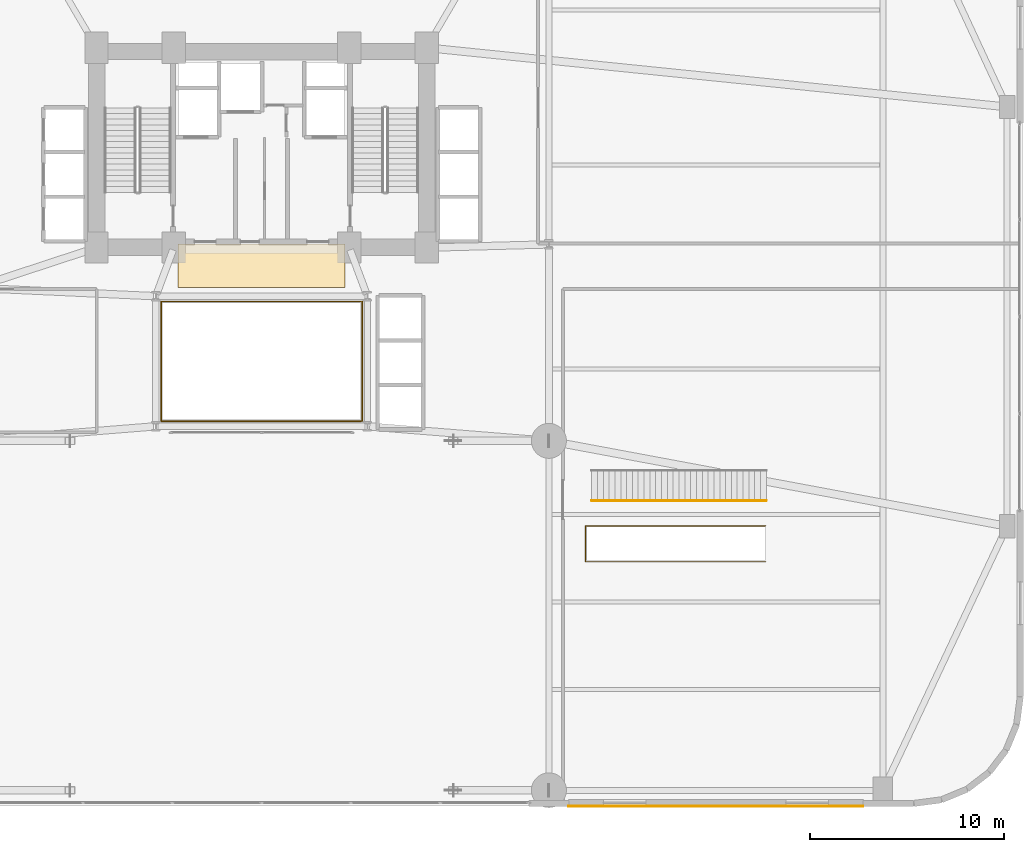
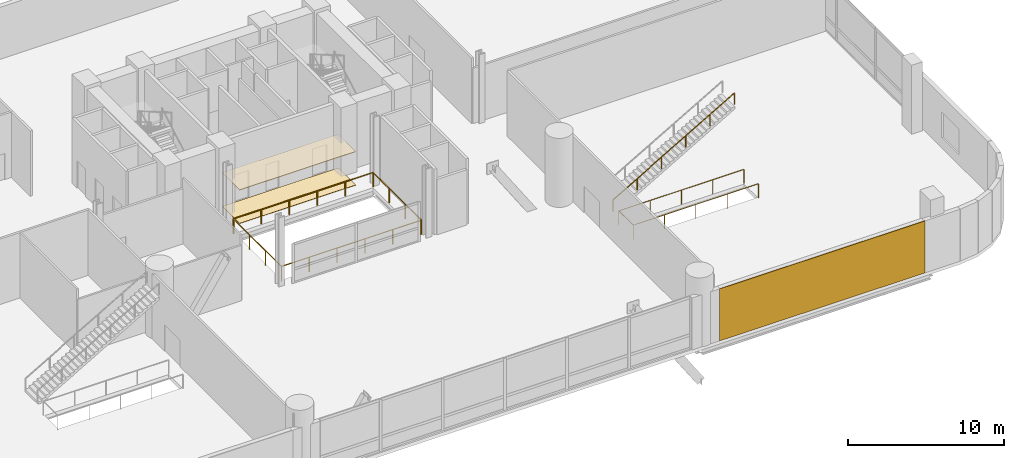
# One storey, part 35 of 40: 4 railings, 3 coverings.
"""IFC4 building model written with IfcOpenShell, lengths in metres."""

from ifc_helpers import new_model, si_unit, direction, frame, origin, origin_2d, place, context, subcontext, project, spatial, rectangle, circle, extrude, source, transform, mapped, material, layer, layer_set, type_object, element, save


model = new_model("IFC4")

# Units and contexts
model_context = context("Model", 3, precision=1e-05, world=origin(), true_north=direction((0.0, 1.0)))
body_context = subcontext(model_context, "Body", "Model", "MODEL_VIEW")
ifc_project = project(units=[si_unit("LENGTHUNIT", "METRE"), si_unit("AREAUNIT", "SQUARE_METRE"), si_unit("VOLUMEUNIT", "CUBIC_METRE"), si_unit("PLANEANGLEUNIT", "RADIAN"), si_unit("MASSUNIT", "GRAM", prefix="KILO")], contexts=[model_context])

# Site, building, storey
site_placement = place(None, origin())
site = spatial("IfcSite", under=ifc_project, at=site_placement, CompositionType="ELEMENT")
building_placement = place(site_placement, origin())
building = spatial("IfcBuilding", under=site, at=building_placement, Name="Varnelok Gate Tower", CompositionType="ELEMENT")
storey_placement = place(building_placement, frame((0.0, 0.0, 5.39990234375)))
storey = spatial("IfcBuildingStorey", under=building, at=storey_placement, Name="L01", CompositionType="ELEMENT", Elevation=5.39990234375)

# Railings
ifc_material_1 = material(Name="Tempered Laminated Balustrade Glass", Category="glass")
railing_type_1 = type_object("IfcRailingType", Name="RL-ATR-GUARD1150", PredefinedType="GUARDRAIL", material=ifc_material_1)
railing_1_placement = place(storey_placement, frame((34.02001953125, 25.929931640625, 0.0)))
element("IfcRailing", 1, at=railing_1_placement, inside=storey, type_object=railing_type_1, Name="L01 Internal Atrium South-West Guardrail", PredefinedType="GUARDRAIL", context=body_context, shape_type="SweptSolid", body=[
    extrude(circle(Radius=0.02392578125, at=origin_2d()), frame((0.0, 0.0, 1.1259765625), z_axis=(0.0, -1.0, 0.0), x_axis=(1.0, 0.0, 0.0)), (0.0, 0.0, 1.0), 6.10986328125),
    extrude(circle(Radius=0.02392578125, at=origin_2d()), frame((0.0, -6.10986328125, 1.1259765625), z_axis=(1.0, 0.0, 0.0), x_axis=(0.0, 1.0, 0.0)), (0.0, 0.0, 1.0), 10.31005859375),
    extrude(circle(Radius=0.02099609375, at=origin_2d()), origin(), (0.0, 0.0, 1.0), 1.101806640625),
    extrude(circle(Radius=0.02099609375, at=origin_2d()), frame((0.0, -2.03662109375, 0.0)), (0.0, 0.0, 1.0), 1.101806640625),
    extrude(circle(Radius=0.02099609375, at=origin_2d()), frame((0.0, -4.0732421875, 0.0)), (0.0, 0.0, 1.0), 1.101806640625),
    extrude(circle(Radius=0.02099609375, at=origin_2d()), frame((0.0, -6.10986328125, 0.0)), (0.0, 0.0, 1.0), 1.101806640625),
    extrude(circle(Radius=0.02099609375, at=origin_2d()), frame((2.06201171875, -6.10986328125, 0.0)), (0.0, 0.0, 1.0), 1.101806640625),
    extrude(circle(Radius=0.02099609375, at=origin_2d()), frame((4.1240234375, -6.10986328125, 0.0)), (0.0, 0.0, 1.0), 1.101806640625),
    extrude(circle(Radius=0.02099609375, at=origin_2d()), frame((6.18603515625, -6.10986328125, 0.0)), (0.0, 0.0, 1.0), 1.101806640625),
    extrude(circle(Radius=0.02099609375, at=origin_2d()), frame((8.248046875, -6.10986328125, 0.0)), (0.0, 0.0, 1.0), 1.101806640625),
    extrude(circle(Radius=0.02099609375, at=origin_2d()), frame((10.31005859375, -6.10986328125, 0.0)), (0.0, 0.0, 1.0), 1.101806640625),
])
railing_2_placement = place(storey_placement, frame((44.3798828125, 19.820068359375, 0.0)))
element("IfcRailing", 2, at=railing_2_placement, inside=storey, type_object=railing_type_1, Name="L01 Internal Atrium North-East Guardrail", PredefinedType="GUARDRAIL", context=body_context, shape_type="SweptSolid", body=[
    extrude(circle(Radius=0.02392578125, at=origin_2d()), frame((0.0, 0.0, 1.1259765625), z_axis=(0.0, 1.0, 0.0), x_axis=(-1.0, 0.0, 0.0)), (0.0, 0.0, 1.0), 6.159912109375),
    extrude(circle(Radius=0.02392578125, at=origin_2d()), frame((0.0, 6.159912109375, 1.1259765625), z_axis=(-1.0, 0.0, 0.0), x_axis=(0.0, -1.0, 0.0)), (0.0, 0.0, 1.0), 10.35986328125),
    extrude(circle(Radius=0.02099609375, at=origin_2d()), origin(), (0.0, 0.0, 1.0), 1.101806640625),
    extrude(circle(Radius=0.02099609375, at=origin_2d()), frame((0.0, 2.05322265625, 0.0)), (0.0, 0.0, 1.0), 1.101806640625),
    extrude(circle(Radius=0.02099609375, at=origin_2d()), frame((0.0, 4.106689453125, 0.0)), (0.0, 0.0, 1.0), 1.101806640625),
    extrude(circle(Radius=0.02099609375, at=origin_2d()), frame((0.0, 6.159912109375, 0.0)), (0.0, 0.0, 1.0), 1.101806640625),
    extrude(circle(Radius=0.02099609375, at=origin_2d()), frame((-2.072021484375, 6.159912109375, 0.0)), (0.0, 0.0, 1.0), 1.101806640625),
    extrude(circle(Radius=0.02099609375, at=origin_2d()), frame((-4.14404296875, 6.159912109375, 0.0)), (0.0, 0.0, 1.0), 1.101806640625),
    extrude(circle(Radius=0.02099609375, at=origin_2d()), frame((-6.2158203125, 6.159912109375, 0.0)), (0.0, 0.0, 1.0), 1.101806640625),
    extrude(circle(Radius=0.02099609375, at=origin_2d()), frame((-8.287841796875, 6.159912109375, 0.0)), (0.0, 0.0, 1.0), 1.101806640625),
    extrude(circle(Radius=0.02099609375, at=origin_2d()), frame((-10.35986328125, 6.159912109375, 0.0)), (0.0, 0.0, 1.0), 1.101806640625),
])
ifc_material_2 = material(Name="Brushed Stainless Steel AISI 316", Category="steel")
railing_type_2 = type_object("IfcRailingType", Name="RL-HANDRAIL-900", PredefinedType="HANDRAIL", material=ifc_material_2)
railing_3_placement = place(storey_placement, frame((56.199951171875, 15.72509765625, 0.17431640625)))
element("IfcRailing", 3, at=railing_3_placement, inside=storey, type_object=railing_type_2, Name="ST-5-L01E Handrail L", PredefinedType="HANDRAIL", context=body_context, shape_type="SweptSolid", body=[
    extrude(circle(Radius=0.02392578125, at=origin_2d()), frame((0.0, 0.0, 0.8759765625), z_axis=(0.864787960788, 0.0, 0.502137215187), x_axis=(0.0, 1.0, 0.0)), (0.0, 0.0, 1.0), 10.4072265625),
    extrude(circle(Radius=0.02099609375, at=origin_2d()), origin(), (0.0, 0.0, 1.0), 0.851806640625),
    extrude(circle(Radius=0.02099609375, at=origin_2d()), frame((1.800048828125, 0.0, 1.045166015625)), (0.0, 0.0, 1.0), 0.851806640625),
    extrude(circle(Radius=0.02099609375, at=origin_2d()), frame((3.60009765625, 0.0, 2.09033203125)), (0.0, 0.0, 1.0), 0.851806640625),
    extrude(circle(Radius=0.02099609375, at=origin_2d()), frame((5.39990234375, 0.0, 3.135498046875)), (0.0, 0.0, 1.0), 0.851806640625),
    extrude(circle(Radius=0.02099609375, at=origin_2d()), frame((7.199951171875, 0.0, 4.1806640625)), (0.0, 0.0, 1.0), 0.851806640625),
    extrude(circle(Radius=0.02099609375, at=origin_2d()), frame((9.0, 0.0, 5.225830078125)), (0.0, 0.0, 1.0), 0.851806640625),
])
ifc_material_3 = material(Name="Galvanized Steel Grade S350GD", Category="steel")
railing_type_3 = type_object("IfcRailingType", Name="RL-STAIR-GUARD1120", PredefinedType="GUARDRAIL", material=ifc_material_3)
railing_4_placement = place(storey_placement, frame((65.159912109375, 12.574951171875, 0.0)))
element("IfcRailing", 4, at=railing_4_placement, inside=storey, type_object=railing_type_3, Name="L01 Stair ST-5 Well Guardrail", PredefinedType="GUARDRAIL", context=body_context, shape_type="SweptSolid", body=[
    extrude(circle(Radius=0.02392578125, at=origin_2d()), frame((0.0, 0.0, 1.09619140625), z_axis=(-1.0, 0.0, 0.0), x_axis=(0.0, -1.0, 0.0)), (0.0, 0.0, 1.0), 9.27001953125),
    extrude(circle(Radius=0.02392578125, at=origin_2d()), frame((-9.27001953125, 0.0, 1.09619140625), z_axis=(0.0, 1.0, 0.0), x_axis=(-1.0, 0.0, 0.0)), (0.0, 0.0, 1.0), 1.85009765625),
    extrude(circle(Radius=0.02392578125, at=origin_2d()), frame((-9.27001953125, 1.85009765625, 1.09619140625), z_axis=(1.0, 0.0, 0.0), x_axis=(0.0, 1.0, 0.0)), (0.0, 0.0, 1.0), 9.27001953125),
    extrude(circle(Radius=0.02099609375, at=origin_2d()), origin(), (0.0, 0.0, 1.0), 1.072021484375),
    extrude(circle(Radius=0.02099609375, at=origin_2d()), frame((-2.3173828125, 0.0, 0.0)), (0.0, 0.0, 1.0), 1.072021484375),
    extrude(circle(Radius=0.02099609375, at=origin_2d()), frame((-4.635009765625, 0.0, 0.0)), (0.0, 0.0, 1.0), 1.072021484375),
    extrude(circle(Radius=0.02099609375, at=origin_2d()), frame((-6.95263671875, 0.0, 0.0)), (0.0, 0.0, 1.0), 1.072021484375),
    extrude(circle(Radius=0.02099609375, at=origin_2d()), frame((-9.27001953125, 0.0, 0.0)), (0.0, 0.0, 1.0), 1.072021484375),
    extrude(circle(Radius=0.02099609375, at=origin_2d()), frame((-9.27001953125, 1.85009765625, 0.0)), (0.0, 0.0, 1.0), 1.072021484375),
    extrude(circle(Radius=0.02099609375, at=origin_2d()), frame((-6.95263671875, 1.85009765625, 0.0)), (0.0, 0.0, 1.0), 1.072021484375),
    extrude(circle(Radius=0.02099609375, at=origin_2d()), frame((-4.635009765625, 1.85009765625, 0.0)), (0.0, 0.0, 1.0), 1.072021484375),
    extrude(circle(Radius=0.02099609375, at=origin_2d()), frame((-2.3173828125, 1.85009765625, 0.0)), (0.0, 0.0, 1.0), 1.072021484375),
    extrude(circle(Radius=0.02099609375, at=origin_2d()), frame((0.0, 1.85009765625, 0.0)), (0.0, 0.0, 1.0), 1.072021484375),
])

# Coverings
ifc_material_4 = material(Name="Glazed Architectural Terracotta Ceramic", Category="masonry")
ifc_layer_1 = layer(ifc_material_4, 0.044921875)
ifc_layer_set_1 = layer_set([ifc_layer_1], Name="Glazed Architectural Terracotta Ceramic")
covering_type_1 = type_object("IfcCoveringType", Name="COV-TERRA-CLAD", PredefinedType="CLADDING", material=ifc_layer_set_1)
shared_shape_1 = source(origin(), body_context, "Body", "SweptSolid", [
    extrude(rectangle(XDim=15.199951171875, YDim=0.044921875, at=origin_2d()), origin(), (0.0, 0.0, 1.0), 4.070068359375),
])
covering_1_placement = place(storey_placement, frame((62.60009765625, -0.02197265625, 0.0), z_axis=(0.0, 0.0, 1.0), x_axis=(1.0, 0.0, 0.0)))
element("IfcCovering", 5, at=covering_1_placement, inside=storey, type_object=covering_type_1, Name="L01 Terracotta Arch Rainscreen Cladding S2", PredefinedType="CLADDING", context=body_context, shape_type="MappedRepresentation", body=[
    mapped(shared_shape_1, transform((0.0, 0.0, 0.0), scale=1.0)),
])
ifc_material_5 = material(Name="Honed Travertine Stone Flooring", Category="masonry")
ifc_layer_2 = layer(ifc_material_5, 0.02490234375)
ifc_layer_set_2 = layer_set([ifc_layer_2], Name="Honed Travertine Stone Flooring")
covering_type_2 = type_object("IfcCoveringType", Name="COV-FLOR-STONE", PredefinedType="FLOORING", material=ifc_layer_set_2)
shared_shape_2 = source(origin(), body_context, "Body", "SweptSolid", [
    extrude(rectangle(XDim=8.60009765625, YDim=2.219970703125, at=origin_2d()), origin(), (0.0, 0.0, 1.0), 0.02490234375),
])
covering_2_placement = place(storey_placement, frame((39.199951171875, 27.800048828125, 0.000244140625), z_axis=(0.0, 0.0, 1.0), x_axis=(1.0, 0.0, 0.0)))
element("IfcCovering", 6, at=covering_2_placement, inside=storey, type_object=covering_type_2, Name="L01 Core Gallery Stone Flooring", PredefinedType="FLOORING", context=body_context, shape_type="MappedRepresentation", body=[
    mapped(shared_shape_2, transform((0.0, 0.0, 0.0), scale=1.0)),
])
ifc_material_6 = material(Name="Mineral Fiber Acoustic Ceiling Tile")
ifc_layer_3 = layer(ifc_material_6, 0.0400390625)
ifc_layer_set_3 = layer_set([ifc_layer_3], Name="Mineral Fiber Acoustic Ceiling Tile")
covering_type_3 = type_object("IfcCoveringType", Name="COV-CEIL-ACOUST", PredefinedType="CEILING", material=ifc_layer_set_3)
shared_shape_3 = source(origin(), body_context, "Body", "SweptSolid", [
    extrude(rectangle(XDim=8.60009765625, YDim=2.239990234375, at=origin_2d()), origin(), (0.0, 0.0, 1.0), 0.0400390625),
])
covering_3_placement = place(storey_placement, frame((39.199951171875, 27.820068359375, 2.60009765625), z_axis=(0.0, 0.0, 1.0), x_axis=(1.0, 0.0, 0.0)))
element("IfcCovering", 7, at=covering_3_placement, inside=storey, type_object=covering_type_3, Name="L01 Core Gallery Acoustic Ceiling", PredefinedType="CEILING", context=body_context, shape_type="MappedRepresentation", body=[
    mapped(shared_shape_3, transform((0.0, 0.0, 0.0), scale=1.0)),
])

save(model, "model.ifc")
